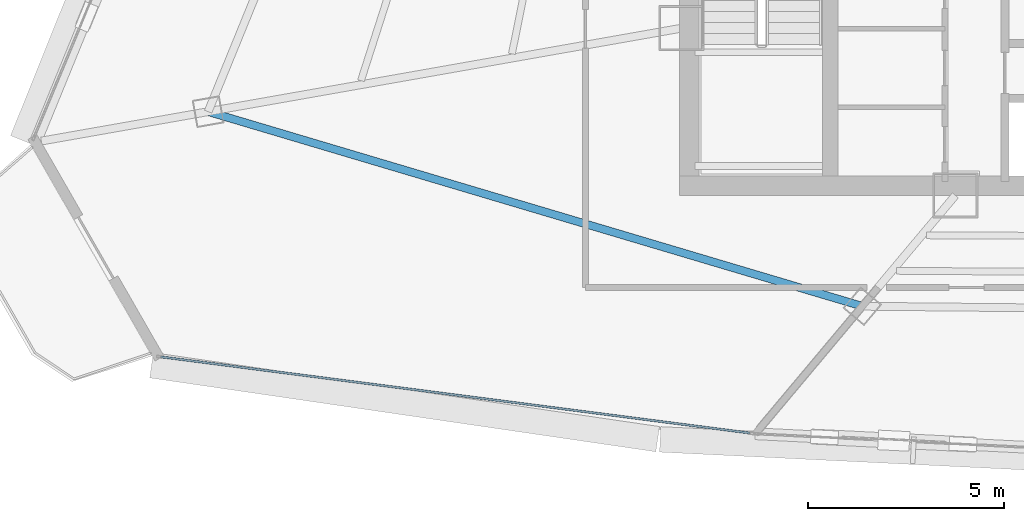
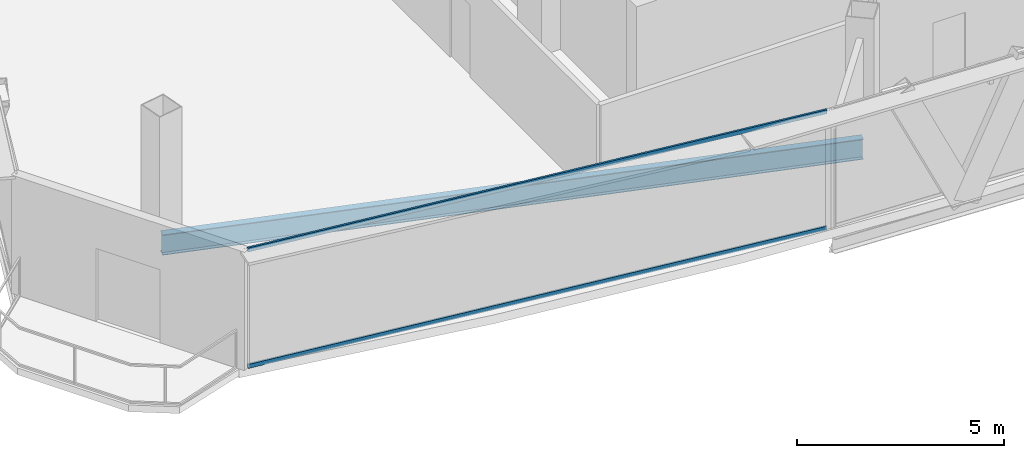
# One storey, part 3 of 33: 2 members, 1 beam, 1 element without a shape of its own.
"""IFC4 building model written with IfcOpenShell, lengths in metres."""

from ifc_helpers import new_model, si_unit, direction, frame, origin, origin_2d, place, context, subcontext, project, spatial, hollow_rectangle, i_section, extrude, source, transform, mapped, material, layer, layer_set, material_profile, profile_set, type_object, element, aggregate, save


model = new_model("IFC4")

# Units and contexts
model_context = context("Model", 3, precision=1e-05, world=origin(), true_north=direction((0.0, 1.0)))
body_context = subcontext(model_context, "Body", "Model", "MODEL_VIEW")
ifc_project = project(units=[si_unit("LENGTHUNIT", "METRE"), si_unit("AREAUNIT", "SQUARE_METRE"), si_unit("VOLUMEUNIT", "CUBIC_METRE"), si_unit("PLANEANGLEUNIT", "RADIAN"), si_unit("MASSUNIT", "GRAM", prefix="KILO"), si_unit("THERMODYNAMICTEMPERATUREUNIT", "KELVIN"), si_unit("POWERUNIT", "WATT")], contexts=[model_context])

# Site, building, storey
site_placement = place(None, origin())
site = spatial("IfcSite", under=ifc_project, at=site_placement, CompositionType="ELEMENT")
building_placement = place(site_placement, origin())
building = spatial("IfcBuilding", under=site, at=building_placement, Name="Yunzhuo Pagoda Commons", CompositionType="ELEMENT")
storey_placement = place(building_placement, frame((0.0, 0.0, 329.260009765625)))
storey = spatial("IfcBuildingStorey", under=building, at=storey_placement, Name="L82", CompositionType="ELEMENT", Elevation=329.260009765625)

# Beam
ifc_material_1 = material(Name="Structural steel Q355B", Category="steel")
ifc_material_profile_1 = material_profile(ifc_material_1, i_section(OverallWidth=0.199951171875, OverallDepth=0.60009765625, WebThickness=0.010986328125, FlangeThickness=0.01708984375, at=origin_2d()), Name="Structural steel Q355B")
ifc_profile_set_1 = profile_set([ifc_material_profile_1], Name="Structural steel Q355B")
beam_type = type_object("IfcBeamType", Name="B-RG3 Beam HN 600x200x11x17", PredefinedType="BEAM", material=ifc_profile_set_1)
shared_shape_1 = source(origin(), body_context, "Body", "SweptSolid", [
    extrude(i_section(OverallWidth=0.199951171875, OverallDepth=0.60009765625, WebThickness=0.010986328125, FlangeThickness=0.01708984375, at=origin_2d()), origin(), (0.0, 0.0, 1.0), 17.407470703125),
])
beam_placement = place(storey_placement, frame((23.52978515625, 29.38525390625, -0.56005859375), z_axis=(0.958484984609, -0.285143006717, 0.0), x_axis=(0.285143006717, 0.958484984609, 0.0)))
element("IfcBeam", 1, at=beam_placement, inside=storey, type_object=beam_type, Name="L82 column-ring beam 12", PredefinedType="BEAM", context=body_context, shape_type="MappedRepresentation", body=[
    mapped(shared_shape_1, transform((0.0, 0.0, 0.0), scale=1.0)),
])

# Curtain wall, members
ifc_material_2 = material(Name="Anodized aluminium 6063-T6", Category="aluminium")
ifc_layer = layer(ifc_material_2, 0.139892578125)
ifc_layer_set = layer_set([ifc_layer], Name="Anodized aluminium 6063-T6")
curtain_wall_type = type_object("IfcCurtainWallType", Name="CW-HI High-Zone Ribbon Curtain Wall", PredefinedType="NOTDEFINED", material=ifc_layer_set)
curtain_wall_placement = place(storey_placement, origin())
curtain_wall = element("IfcCurtainWall", 2, at=curtain_wall_placement, inside=storey, type_object=curtain_wall_type, Name="L82 curtain wall CW-L82-F1B1", PredefinedType="NOTDEFINED")
ifc_material_profile_2 = material_profile(ifc_material_2, hollow_rectangle(XDim=0.054931640625, YDim=0.1201171875, WallThickness=0.00341796875, at=origin_2d()), Name="Anodized aluminium 6063-T6")
ifc_profile_set_2 = profile_set([ifc_material_profile_2], Name="Anodized aluminium 6063-T6")
member_type = type_object("IfcMemberType", Name="CW-HI-T Transom RHS 120x55x3.5", PredefinedType="USERDEFINED", material=ifc_profile_set_2)
shared_shape_2 = source(origin(), body_context, "Body", "SweptSolid", [
    extrude(hollow_rectangle(XDim=0.054931640625, YDim=0.1201171875, WallThickness=0.00341796875, at=origin_2d()), origin(), (0.0, 0.0, 1.0), 15.1572265625),
])
member_1_placement = place(storey_placement, frame((22.31982421875, 23.13134765625, 0.027587890625), z_axis=(0.991736202571, -0.128293821011, 0.0), x_axis=(0.128293821011, 0.991736202571, 0.0)))
member_1 = element("IfcMember", 3, at=member_1_placement, type_object=member_type, Name="CW transom 1.1", ObjectType="TRANSOM", PredefinedType="USERDEFINED", context=body_context, shape_type="MappedRepresentation", body=[
    mapped(shared_shape_2, transform((0.0, 0.0, 0.0), scale=1.0)),
])
member_2_placement = place(storey_placement, frame((22.31982421875, 23.13134765625, 3.46240234375), z_axis=(0.991736202571, -0.128293821011, 0.0), x_axis=(0.128293821011, 0.991736202571, 0.0)))
member_2 = element("IfcMember", 4, at=member_2_placement, type_object=member_type, Name="CW transom 1.2", ObjectType="TRANSOM", PredefinedType="USERDEFINED", context=body_context, shape_type="MappedRepresentation", body=[
    mapped(shared_shape_2, transform((0.0, 0.0, 0.0), scale=1.0)),
])
aggregate(curtain_wall, [member_1, member_2])

save(model, "model.ifc")
